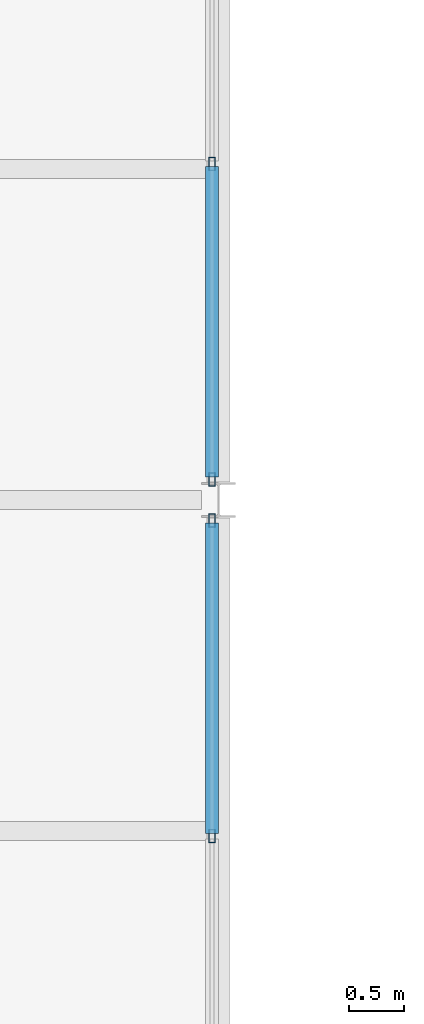
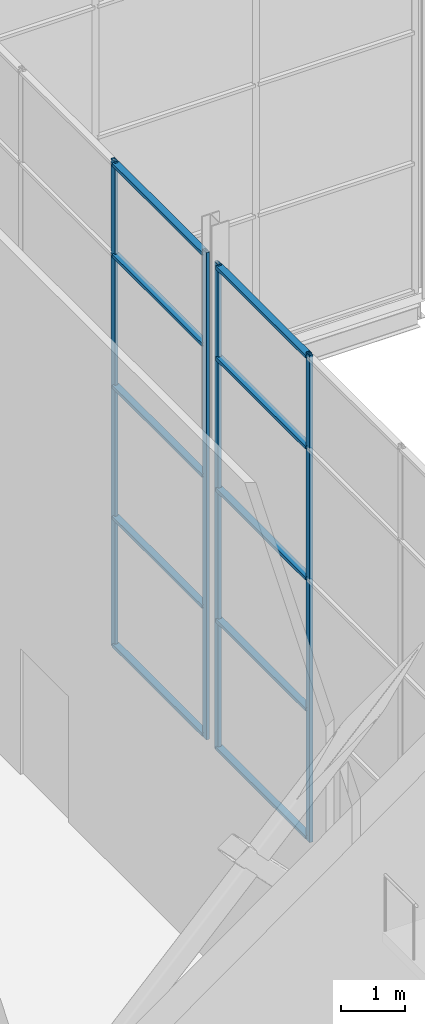
# One storey, part 34 of 111: 14 members, 2 elements without a shape of their own.
"""IFC4 building model written with IfcOpenShell, lengths in metres."""

from ifc_helpers import new_model, si_unit, direction, frame, origin, origin_2d, place, context, subcontext, project, spatial, hollow_rectangle, extrude, material, layer, layer_set, material_profile, profile_set, type_object, element, aggregate, save


model = new_model("IFC4")

# Units and contexts
model_context = context("Model", 3, precision=1e-05, world=origin(), true_north=direction((0.0, 1.0)))
body_context = subcontext(model_context, "Body", "Model", "MODEL_VIEW")
ifc_project = project(units=[si_unit("LENGTHUNIT", "METRE"), si_unit("AREAUNIT", "SQUARE_METRE"), si_unit("VOLUMEUNIT", "CUBIC_METRE"), si_unit("PLANEANGLEUNIT", "RADIAN"), si_unit("MASSUNIT", "GRAM", prefix="KILO")], contexts=[model_context])

# Site, building, storey
site_placement = place(None, origin())
site = spatial("IfcSite", under=ifc_project, at=site_placement, CompositionType="ELEMENT")
building_placement = place(site_placement, origin())
building = spatial("IfcBuilding", under=site, at=building_placement, Name="Shorebreak Coast Museum", CompositionType="ELEMENT")
storey_placement = place(building_placement, frame((0.0, 0.0, 16.0)))
storey = spatial("IfcBuildingStorey", under=building, at=storey_placement, Name="L03", CompositionType="ELEMENT", Elevation=16.0)

# Curtain wall, members
ifc_material_1 = material(Name="Aluminium", Category="aluminium")
ifc_layer = layer(ifc_material_1, 0.1201171875)
ifc_layer_set = layer_set([ifc_layer], Name="Aluminium")
curtain_wall_type = type_object("IfcCurtainWallType", Name="Atrium fire screen", PredefinedType="NOTDEFINED", material=ifc_layer_set)
curtain_wall_1_placement = place(storey_placement, origin())
curtain_wall_1 = element("IfcCurtainWall", 1, at=curtain_wall_1_placement, inside=storey, type_object=curtain_wall_type, Name="Atrium screen L03 W 45", PredefinedType="NOTDEFINED")
ifc_material_2 = material(Name="Aluminium", Category="aluminium")
ifc_material_profile_1 = material_profile(ifc_material_2, hollow_rectangle(XDim=0.06005859375, YDim=0.1201171875, WallThickness=0.00341796875, at=origin_2d()), Name="AL 120x60 RHS")
ifc_profile_set_1 = profile_set([ifc_material_profile_1], Name="Aluminium")
member_type_1 = type_object("IfcMemberType", Name="Screen mullion 50 x 120", PredefinedType="MULLION", material=ifc_profile_set_1)
member_1_placement = place(storey_placement, frame((62.93994140625, 68.95263671875, 0.0), z_axis=(0.0, 0.0, 1.0), x_axis=(-1.0, 0.0, 0.0)))
member_1 = element("IfcMember", 2, at=member_1_placement, type_object=member_type_1, Name="CW4 mullion 3", PredefinedType="MULLION", context=body_context, shape_type="SweptSolid", body=[
    extrude(hollow_rectangle(XDim=0.06005859375, YDim=0.1201171875, WallThickness=0.00341796875, at=origin_2d()), origin(), (0.0, 0.0, 1.0), 9.296875),
])
member_2_placement = place(storey_placement, frame((62.93994140625, 71.814697265625, 0.0), z_axis=(0.0, 0.0, 1.0), x_axis=(-1.0, 0.0, 0.0)))
member_2 = element("IfcMember", 3, at=member_2_placement, type_object=member_type_1, Name="CW4 mullion 4", PredefinedType="MULLION", context=body_context, shape_type="SweptSolid", body=[
    extrude(hollow_rectangle(XDim=0.06005859375, YDim=0.1201171875, WallThickness=0.00341796875, at=origin_2d()), origin(), (0.0, 0.0, 1.0), 9.296875),
])

curtain_wall_2_placement = place(storey_placement, origin())
curtain_wall_2 = element("IfcCurtainWall", 4, at=curtain_wall_2_placement, inside=storey, type_object=curtain_wall_type, Name="Atrium screen L03 W 46", PredefinedType="NOTDEFINED")
member_3_placement = place(storey_placement, frame((62.93994140625, 72.185302734375, 0.0), z_axis=(0.0, 0.0, 1.0), x_axis=(-1.0, 0.0, 0.0)))
member_3 = element("IfcMember", 5, at=member_3_placement, type_object=member_type_1, Name="CW5 mullion 1", PredefinedType="MULLION", context=body_context, shape_type="SweptSolid", body=[
    extrude(hollow_rectangle(XDim=0.06005859375, YDim=0.1201171875, WallThickness=0.00341796875, at=origin_2d()), origin(), (0.0, 0.0, 1.0), 9.296875),
])
member_4_placement = place(storey_placement, frame((62.93994140625, 75.04736328125, 0.0), z_axis=(0.0, 0.0, 1.0), x_axis=(-1.0, 0.0, 0.0)))
member_4 = element("IfcMember", 6, at=member_4_placement, type_object=member_type_1, Name="CW5 mullion 2", PredefinedType="MULLION", context=body_context, shape_type="SweptSolid", body=[
    extrude(hollow_rectangle(XDim=0.06005859375, YDim=0.1201171875, WallThickness=0.00341796875, at=origin_2d()), origin(), (0.0, 0.0, 1.0), 9.296875),
])

# Member
ifc_material_3 = material(Name="Aluminium", Category="aluminium")
ifc_material_profile_2 = material_profile(ifc_material_3, hollow_rectangle(XDim=0.1201171875, YDim=0.06005859375, WallThickness=0.00341796875, at=origin_2d()), Name="AL 60x120 RHS")
ifc_profile_set_2 = profile_set([ifc_material_profile_2], Name="Aluminium")
member_type_2 = type_object("IfcMemberType", Name="Screen transom 120 x 50", PredefinedType="USERDEFINED", material=ifc_profile_set_2)
member_5_placement = place(storey_placement, frame((62.93994140625, 68.9775390625, 0.06005859375), z_axis=(0.0, 1.0, 0.0), x_axis=(-1.0, 0.0, 0.0)))
member_5 = element("IfcMember", 7, at=member_5_placement, type_object=member_type_2, Name="CW4 transom 3.1", ObjectType="TRANSOM", PredefinedType="USERDEFINED", context=body_context, shape_type="SweptSolid", body=[
    extrude(hollow_rectangle(XDim=0.1201171875, YDim=0.06005859375, WallThickness=0.00341796875, at=origin_2d()), origin(), (0.0, 0.0, 1.0), 2.812255859375),
])

member_6_placement = place(storey_placement, frame((62.93994140625, 68.9775390625, 2.5), z_axis=(0.0, 1.0, 0.0), x_axis=(-1.0, 0.0, 0.0)))
member_6 = element("IfcMember", 8, at=member_6_placement, type_object=member_type_2, Name="CW4 transom 3.2", ObjectType="TRANSOM", PredefinedType="USERDEFINED", context=body_context, shape_type="SweptSolid", body=[
    extrude(hollow_rectangle(XDim=0.1201171875, YDim=0.06005859375, WallThickness=0.00341796875, at=origin_2d()), origin(), (0.0, 0.0, 1.0), 2.812255859375),
])

member_7_placement = place(storey_placement, frame((62.93994140625, 68.9775390625, 5.0), z_axis=(0.0, 1.0, 0.0), x_axis=(-1.0, 0.0, 0.0)))
member_7 = element("IfcMember", 9, at=member_7_placement, type_object=member_type_2, Name="CW4 transom 3.3", ObjectType="TRANSOM", PredefinedType="USERDEFINED", context=body_context, shape_type="SweptSolid", body=[
    extrude(hollow_rectangle(XDim=0.1201171875, YDim=0.06005859375, WallThickness=0.00341796875, at=origin_2d()), origin(), (0.0, 0.0, 1.0), 2.812255859375),
])

member_8_placement = place(storey_placement, frame((62.93994140625, 68.9775390625, 7.5), z_axis=(0.0, 1.0, 0.0), x_axis=(-1.0, 0.0, 0.0)))
member_8 = element("IfcMember", 10, at=member_8_placement, type_object=member_type_2, Name="CW4 transom 3.4", ObjectType="TRANSOM", PredefinedType="USERDEFINED", context=body_context, shape_type="SweptSolid", body=[
    extrude(hollow_rectangle(XDim=0.1201171875, YDim=0.06005859375, WallThickness=0.00341796875, at=origin_2d()), origin(), (0.0, 0.0, 1.0), 2.812255859375),
])

member_9_placement = place(storey_placement, frame((62.93994140625, 68.9775390625, 9.23681640625), z_axis=(0.0, 1.0, 0.0), x_axis=(-1.0, 0.0, 0.0)))
member_9 = element("IfcMember", 11, at=member_9_placement, type_object=member_type_2, Name="CW4 transom 3.5", ObjectType="TRANSOM", PredefinedType="USERDEFINED", context=body_context, shape_type="SweptSolid", body=[
    extrude(hollow_rectangle(XDim=0.1201171875, YDim=0.06005859375, WallThickness=0.00341796875, at=origin_2d()), origin(), (0.0, 0.0, 1.0), 2.812255859375),
])

aggregate(curtain_wall_1, [member_1, member_2, member_5, member_6, member_7, member_8, member_9])

member_10_placement = place(storey_placement, frame((62.93994140625, 72.210205078125, 0.06005859375), z_axis=(0.0, 1.0, 0.0), x_axis=(-1.0, 0.0, 0.0)))
member_10 = element("IfcMember", 12, at=member_10_placement, type_object=member_type_2, Name="CW5 transom 1.1", ObjectType="TRANSOM", PredefinedType="USERDEFINED", context=body_context, shape_type="SweptSolid", body=[
    extrude(hollow_rectangle(XDim=0.1201171875, YDim=0.06005859375, WallThickness=0.00341796875, at=origin_2d()), origin(), (0.0, 0.0, 1.0), 2.812255859375),
])

member_11_placement = place(storey_placement, frame((62.93994140625, 72.210205078125, 2.5), z_axis=(0.0, 1.0, 0.0), x_axis=(-1.0, 0.0, 0.0)))
member_11 = element("IfcMember", 13, at=member_11_placement, type_object=member_type_2, Name="CW5 transom 1.2", ObjectType="TRANSOM", PredefinedType="USERDEFINED", context=body_context, shape_type="SweptSolid", body=[
    extrude(hollow_rectangle(XDim=0.1201171875, YDim=0.06005859375, WallThickness=0.00341796875, at=origin_2d()), origin(), (0.0, 0.0, 1.0), 2.812255859375),
])

member_12_placement = place(storey_placement, frame((62.93994140625, 72.210205078125, 5.0), z_axis=(0.0, 1.0, 0.0), x_axis=(-1.0, 0.0, 0.0)))
member_12 = element("IfcMember", 14, at=member_12_placement, type_object=member_type_2, Name="CW5 transom 1.3", ObjectType="TRANSOM", PredefinedType="USERDEFINED", context=body_context, shape_type="SweptSolid", body=[
    extrude(hollow_rectangle(XDim=0.1201171875, YDim=0.06005859375, WallThickness=0.00341796875, at=origin_2d()), origin(), (0.0, 0.0, 1.0), 2.812255859375),
])

member_13_placement = place(storey_placement, frame((62.93994140625, 72.210205078125, 7.5), z_axis=(0.0, 1.0, 0.0), x_axis=(-1.0, 0.0, 0.0)))
member_13 = element("IfcMember", 15, at=member_13_placement, type_object=member_type_2, Name="CW5 transom 1.4", ObjectType="TRANSOM", PredefinedType="USERDEFINED", context=body_context, shape_type="SweptSolid", body=[
    extrude(hollow_rectangle(XDim=0.1201171875, YDim=0.06005859375, WallThickness=0.00341796875, at=origin_2d()), origin(), (0.0, 0.0, 1.0), 2.812255859375),
])

member_14_placement = place(storey_placement, frame((62.93994140625, 72.210205078125, 9.23681640625), z_axis=(0.0, 1.0, 0.0), x_axis=(-1.0, 0.0, 0.0)))
member_14 = element("IfcMember", 16, at=member_14_placement, type_object=member_type_2, Name="CW5 transom 1.5", ObjectType="TRANSOM", PredefinedType="USERDEFINED", context=body_context, shape_type="SweptSolid", body=[
    extrude(hollow_rectangle(XDim=0.1201171875, YDim=0.06005859375, WallThickness=0.00341796875, at=origin_2d()), origin(), (0.0, 0.0, 1.0), 2.812255859375),
])

aggregate(curtain_wall_2, [member_3, member_4, member_10, member_11, member_12, member_13, member_14])

save(model, "model.ifc")
